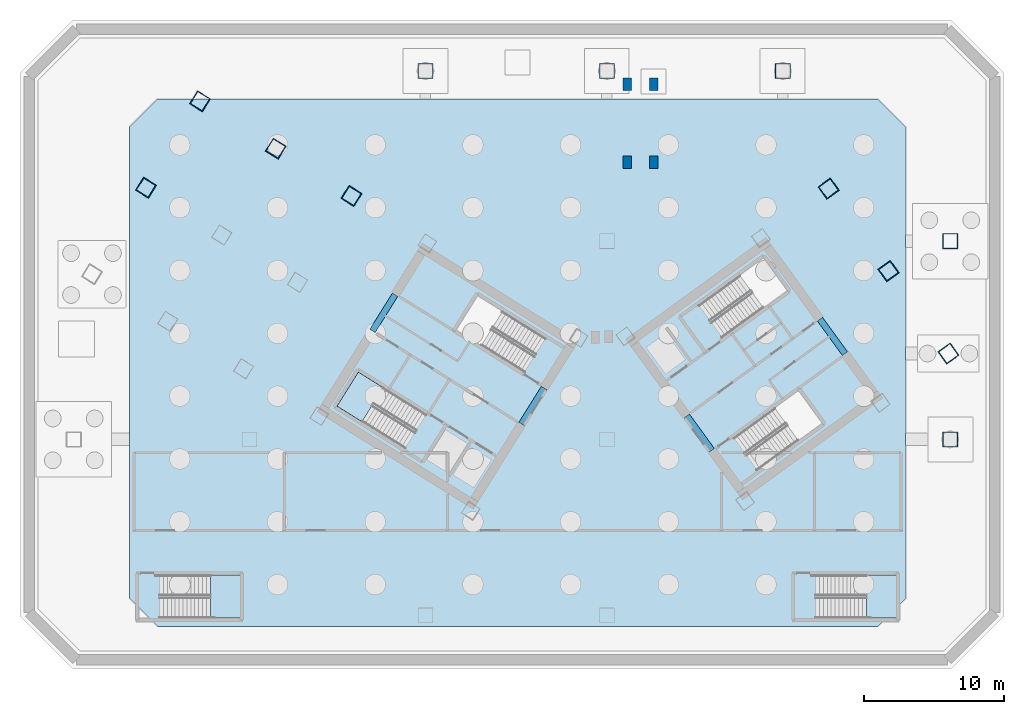
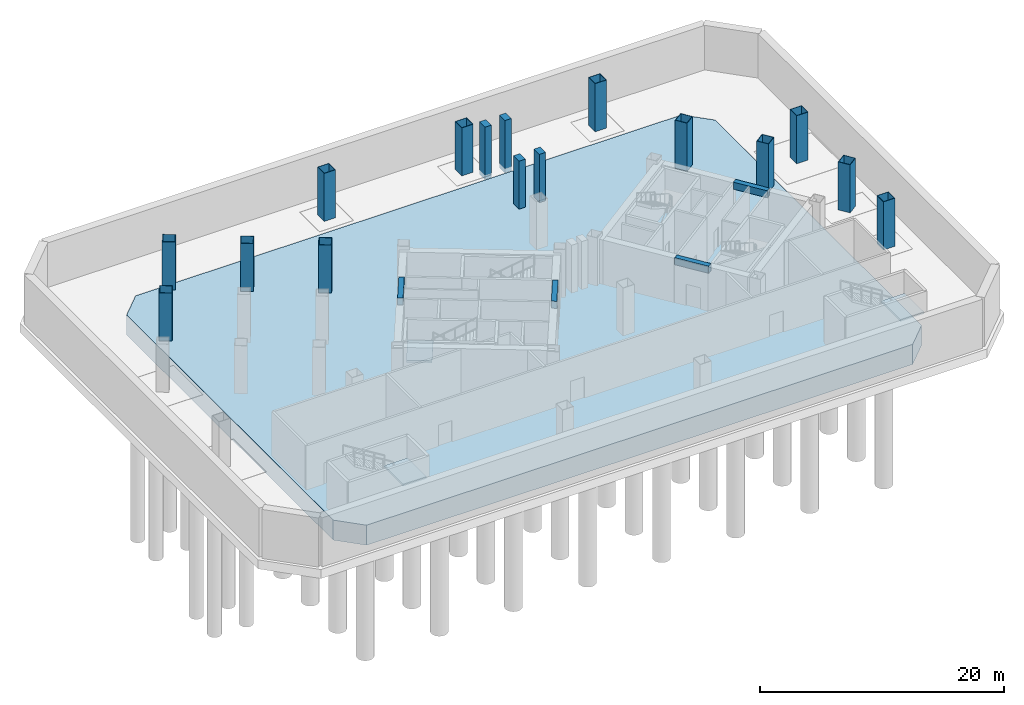
# One storey, part 2 of 11: 16 columns, 4 beams, 4 slabs, 3 elements without a shape of their own.
"""IFC4 building model written with IfcOpenShell, lengths in metres."""

from ifc_helpers import new_model, si_unit, direction, frame, origin, origin_2d, place, context, subcontext, project, spatial, polyline, rectangle, hollow_rectangle, outline, extrude, source, transform, mapped, material, layer, layer_set, material_profile, profile_set, type_object, element, aggregate, save


model = new_model("IFC4")

# Units and contexts
model_context = context("Model", 3, precision=1e-05, world=origin(), true_north=direction((0.0, 1.0)))
body_context = subcontext(model_context, "Body", "Model", "MODEL_VIEW")
ifc_project = project(units=[si_unit("LENGTHUNIT", "METRE"), si_unit("AREAUNIT", "SQUARE_METRE"), si_unit("VOLUMEUNIT", "CUBIC_METRE"), si_unit("PLANEANGLEUNIT", "RADIAN"), si_unit("MASSUNIT", "GRAM", prefix="KILO")], contexts=[model_context])

# Site, building, storey
site_placement = place(None, origin())
site = spatial("IfcSite", under=ifc_project, at=site_placement, CompositionType="ELEMENT")
building_placement = place(site_placement, origin())
building = spatial("IfcBuilding", under=site, at=building_placement, Name="Tlacorven Tower", CompositionType="ELEMENT")
storey_placement = place(building_placement, frame((0.0, 0.0, -9.60009765625)))
storey = spatial("IfcBuildingStorey", under=building, at=storey_placement, Name="B2", CompositionType="ELEMENT", Elevation=-9.60009765625)

# Columns
ifc_material_1 = material(Name="Precast concrete C50/60", Category="concrete")
ifc_material_profile_1 = material_profile(ifc_material_1, rectangle(XDim=0.60009765625, YDim=0.89990234375, at=origin_2d()), Name="RC 600X900")
ifc_profile_set_1 = profile_set([ifc_material_profile_1], Name="Precast concrete C50/60")
column_type_1 = type_object("IfcColumnType", Name="COL-PIL-01", PredefinedType="PILASTER", material=ifc_profile_set_1)
shared_shape_1 = source(origin(), body_context, "Body", "SweptSolid", [
    extrude(rectangle(XDim=0.60009765625, YDim=0.89990234375, at=origin_2d()), origin(), (0.0, 0.0, 1.0), 4.800048828125),
])
for number, where, z_axis, x_axis, name in (
    (1, (44.25, 37.050048828125, 0.0), (0.0, 0.0, 1.0), (1.0, 0.0, 0.0), "B2 Vehicle Ramp Support Column 1"),
    (2, (46.14990234375, 37.050048828125, 0.0), (0.0, 0.0, 1.0), (1.0, 0.0, 0.0), "B2 Vehicle Ramp Support Column 2"),
):
    element("IfcColumn", number, at=place(storey_placement, frame(where, z_axis=z_axis, x_axis=x_axis)), inside=storey, type_object=column_type_1, Name=name, PredefinedType="PILASTER", context=body_context, shape_type="MappedRepresentation", body=[
        mapped(shared_shape_1, transform((0.0, 0.0, 0.0), scale=1.0)),
    ])
shared_shape_2 = source(origin(), body_context, "Body", "SweptSolid", [
    extrude(rectangle(XDim=0.60009765625, YDim=0.89990234375, at=origin_2d()), origin(), (0.0, 0.0, 1.0), 5.25),
])
for number, where, z_axis, x_axis, name in (
    (3, (44.25, 42.64990234375, -0.449951171875), (0.0, 0.0, 1.0), (1.0, 0.0, 0.0), "B2 Vehicle Ramp Support Column 3"),
    (4, (46.14990234375, 42.64990234375, -0.449951171875), (0.0, 0.0, 1.0), (1.0, 0.0, 0.0), "B2 Vehicle Ramp Support Column 4"),
):
    element("IfcColumn", number, at=place(storey_placement, frame(where, z_axis=z_axis, x_axis=x_axis)), inside=storey, type_object=column_type_1, Name=name, PredefinedType="PILASTER", context=body_context, shape_type="MappedRepresentation", body=[
        mapped(shared_shape_2, transform((0.0, 0.0, 0.0), scale=1.0)),
    ])
ifc_material_2 = material(Name="Steel S460M", Category="steel")
ifc_material_profile_2 = material_profile(ifc_material_2, hollow_rectangle(XDim=1.080078125, YDim=1.080078125, WallThickness=0.0400390625, at=origin_2d()), Name="BOX 1080X1080X40")
ifc_profile_set_2 = profile_set([ifc_material_profile_2], Name="Steel S460M")
column_type_2 = type_object("IfcColumnType", Name="COL-POD-M1", PredefinedType="COLUMN", material=ifc_profile_set_2)
shared_shape_3 = source(origin(), body_context, "Body", "SweptSolid", [
    extrude(hollow_rectangle(XDim=1.080078125, YDim=1.080078125, WallThickness=0.0400390625, at=origin_2d()), origin(), (0.0, 0.0, 1.0), 4.800048828125),
])
for number, where, z_axis, x_axis, name in (
    (5, (29.800048828125, 43.60009765625, 0.0), (0.0, 0.0, 1.0), (1.0, 0.0, 0.0), "B2 column COL-B2-P04"),
    (6, (42.800048828125, 43.60009765625, 0.0), (0.0, 0.0, 1.0), (1.0, 0.0, 0.0), "B2 column COL-B2-P08"),
    (7, (55.39990234375, 43.60009765625, 0.0), (0.0, 0.0, 1.0), (1.0, 0.0, 0.0), "B2 column COL-B2-P09"),
    (8, (67.39990234375, 17.199951171875, 0.0), (0.0, 0.0, 1.0), (1.0, 0.0, 0.0), "B2 column COL-B2-P10"),
    (9, (67.39990234375, 31.39990234375, 0.0), (0.0, 0.0, 1.0), (1.0, 0.0, 0.0), "B2 column COL-B2-P11"),
    (10, (24.50048828125, 34.642822265625, 0.0), (0.0, 0.0, 1.0), (-0.848048096156, 0.529919264233, 0.0), "B2 column COL-B2-WT11"),
    (11, (19.072998046875, 38.034423828125, 0.0), (0.0, 0.0, 1.0), (-0.848048096156, 0.529919264233, 0.0), "B2 column COL-B2-WT21"),
    (12, (13.6455078125, 41.42578125, 0.0), (0.0, 0.0, 1.0), (-0.848048096156, 0.529919264233, 0.0), "B2 column COL-B2-WT31"),
    (13, (9.777099609375, 35.235107421875, 0.0), (0.0, 0.0, 1.0), (-0.848048096156, 0.529919264233, 0.0), "B2 column COL-B2-WT32"),
    (14, (67.267822265625, 23.353515625, 0.0), (0.0, 0.0, 1.0), (0.809016994375, 0.587785252292, 0.0), "B2 column COL-B2-ET11"),
    (15, (62.976806640625, 29.25927734375, 0.0), (0.0, 0.0, 1.0), (0.809016994375, 0.587785252292, 0.0), "B2 column COL-B2-ET12"),
    (16, (58.68603515625, 35.165283203125, 0.0), (0.0, 0.0, 1.0), (0.809016994375, 0.587785252292, 0.0), "B2 column COL-B2-ET13"),
):
    element("IfcColumn", number, at=place(storey_placement, frame(where, z_axis=z_axis, x_axis=x_axis)), inside=storey, type_object=column_type_2, Name=name, PredefinedType="COLUMN", context=body_context, shape_type="MappedRepresentation", body=[
        mapped(shared_shape_3, transform((0.0, 0.0, 0.0), scale=1.0)),
    ])

# Beams
ifc_material_3 = material(Name="Concrete C60/75", Category="concrete")
ifc_material_profile_3 = material_profile(ifc_material_3, rectangle(XDim=0.449951171875, YDim=0.699951171875, at=origin_2d()), Name="RC 450X700")
ifc_profile_set_3 = profile_set([ifc_material_profile_3], Name="Concrete C60/75")
beam_type = type_object("IfcBeamType", Name="BM-LNT-700", PredefinedType="LINTEL", material=ifc_profile_set_3)
shared_shape_4 = source(origin(), body_context, "Body", "SweptSolid", [
    extrude(rectangle(XDim=0.449951171875, YDim=0.699951171875, at=origin_2d()), origin(), (0.0, 0.0, 1.0), 3.050048828125),
])
for number, where, z_axis, x_axis, name in (
    (17, (38.2998046875, 20.890625, 4.10009765625), (-0.529984549635, -0.848007297815, 0.0), (0.848007297815, -0.529984549635, 0.0), "B2 W core coupling lintel beam E1"),
    (18, (50.318359375, 16.416015625, 4.10009765625), (-0.587776590479, 0.80902328748, 0.0), (-0.80902328748, -0.587776590479, 0.0), "B2 E core coupling lintel beam E1"),
    (19, (59.856689453125, 23.345947265625, 4.10009765625), (-0.587776590479, 0.80902328748, 0.0), (-0.80902328748, -0.587776590479, 0.0), "B2 E core coupling lintel beam E2"),
):
    element("IfcBeam", number, at=place(storey_placement, frame(where, z_axis=z_axis, x_axis=x_axis)), inside=storey, type_object=beam_type, Name=name, PredefinedType="LINTEL", context=body_context, shape_type="MappedRepresentation", body=[
        mapped(shared_shape_4, transform((0.0, 0.0, 0.0), scale=1.0)),
    ])
shared_shape_5 = source(origin(), body_context, "Body", "SweptSolid", [
    extrude(rectangle(XDim=0.449951171875, YDim=0.699951171875, at=origin_2d()), origin(), (0.0, 0.0, 1.0), 3.0498046875),
])
beam_placement = place(storey_placement, frame((27.622802734375, 27.562255859375, 4.10009765625), z_axis=(-0.529926983584, -0.848043272522, 0.0), x_axis=(0.848043272522, -0.529926983584, 0.0)))
element("IfcBeam", 20, at=beam_placement, inside=storey, type_object=beam_type, Name="B2 W core coupling lintel beam E2", PredefinedType="LINTEL", context=body_context, shape_type="MappedRepresentation", body=[
    mapped(shared_shape_5, transform((0.0, 0.0, 0.0), scale=1.0)),
])

# Stair, slab
ifc_material_4 = material(Name="Concrete C40/50", Category="concrete")
stair_type_1 = type_object("IfcStairType", Name="ST-CORE-DLG", PredefinedType="HALF_TURN_STAIR", material=ifc_material_4)
stair_1_placement = place(storey_placement, origin())
stair_1 = element("IfcStair", 21, at=stair_1_placement, inside=storey, type_object=stair_type_1, Name="B2 Protected Exit Stair West 1", PredefinedType="HALF_TURN_STAIR")
ifc_layer_1 = layer(ifc_material_4, 0.199951171875)
ifc_layer_set_1 = layer_set([ifc_layer_1], Name="Concrete C40/50")
slab_type_1 = type_object("IfcSlabType", Name="SL-LND-200", PredefinedType="LANDING", material=ifc_layer_set_1)
slab_1_placement = place(storey_placement, frame((0.0, 0.0, 2.2001953125)))
slab_1 = element("IfcSlab", 22, at=slab_1_placement, type_object=slab_type_1, Name="ST-W1 landing 1", PredefinedType="LANDING", context=body_context, shape_type="SweptSolid", body=[
    extrude(outline(polyline([(26.778564453125, 20.90869140625), (24.9892578125, 22.02685546875), (23.463134765625, 19.58447265625), (25.25244140625, 18.46630859375), (26.778564453125, 20.90869140625)])), origin(), (0.0, 0.0, 1.0), 0.199951171875),
])
aggregate(stair_1, [slab_1])

stair_type_2 = type_object("IfcStairType", Name="ST-POD-DLG", PredefinedType="HALF_TURN_STAIR", material=ifc_material_4)
stair_2_placement = place(storey_placement, origin())
stair_2 = element("IfcStair", 23, at=stair_2_placement, inside=storey, type_object=stair_type_2, Name="B2 Podium Station Exit Stair 1", PredefinedType="HALF_TURN_STAIR")
slab_2_placement = place(storey_placement, frame((0.0, 0.0, 2.2001953125)))
slab_2 = element("IfcSlab", 24, at=slab_2_placement, type_object=slab_type_1, Name="ST-P1 landing 1", PredefinedType="LANDING", context=body_context, shape_type="SweptSolid", body=[
    extrude(outline(polyline([(14.389892578125, 4.39990234375), (16.60009765625, 4.39990234375), (16.60009765625, 7.47998046875), (14.389892578125, 7.47998046875), (14.389892578125, 4.39990234375)])), origin(), (0.0, 0.0, 1.0), 0.199951171875),
])
aggregate(stair_2, [slab_2])

stair_3_placement = place(storey_placement, origin())
stair_3 = element("IfcStair", 25, at=stair_3_placement, inside=storey, type_object=stair_type_2, Name="B2 Podium Station Exit Stair 2", PredefinedType="HALF_TURN_STAIR")
slab_3_placement = place(storey_placement, frame((0.0, 0.0, 2.2001953125)))
slab_3 = element("IfcSlab", 26, at=slab_3_placement, type_object=slab_type_1, Name="ST-P2 landing 1", PredefinedType="LANDING", context=body_context, shape_type="SweptSolid", body=[
    extrude(outline(polyline([(61.389892578125, 4.39990234375), (63.60009765625, 4.39990234375), (63.60009765625, 7.47998046875), (61.389892578125, 7.47998046875), (61.389892578125, 4.39990234375)])), origin(), (0.0, 0.0, 1.0), 0.199951171875),
])
aggregate(stair_3, [slab_3])

# Slab
ifc_material_5 = material(Name="Concrete C50/60", Category="concrete")
ifc_layer_2 = layer(ifc_material_5, 2.0)
ifc_layer_set_2 = layer_set([ifc_layer_2], Name="Concrete C50/60")
slab_type_2 = type_object("IfcSlabType", Name="SL-RAFT-2000", PredefinedType="BASESLAB", material=ifc_layer_set_2)
slab_4_placement = place(storey_placement, frame((0.0, 0.0, -2.0)))
element("IfcSlab", 27, at=slab_4_placement, inside=storey, type_object=slab_type_2, Name="B2 Foundation Mat Raft Slab", PredefinedType="BASESLAB", context=body_context, shape_type="SweptSolid", body=[
    extrude(outline(polyline([(10.60009765625, 3.800048828125), (62.199951171875, 3.800048828125), (64.199951171875, 5.800048828125), (64.199951171875, 39.60009765625), (62.199951171875, 41.60009765625), (10.60009765625, 41.60009765625), (8.60009765625, 39.60009765625), (8.60009765625, 5.800048828125), (10.60009765625, 3.800048828125)])), origin(), (0.0, 0.0, 1.0), 2.0),
])

save(model, "model.ifc")
